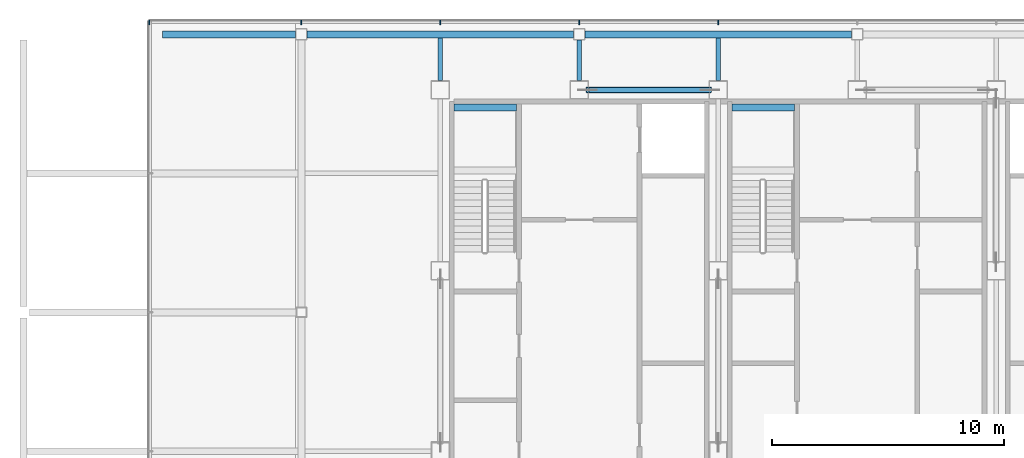
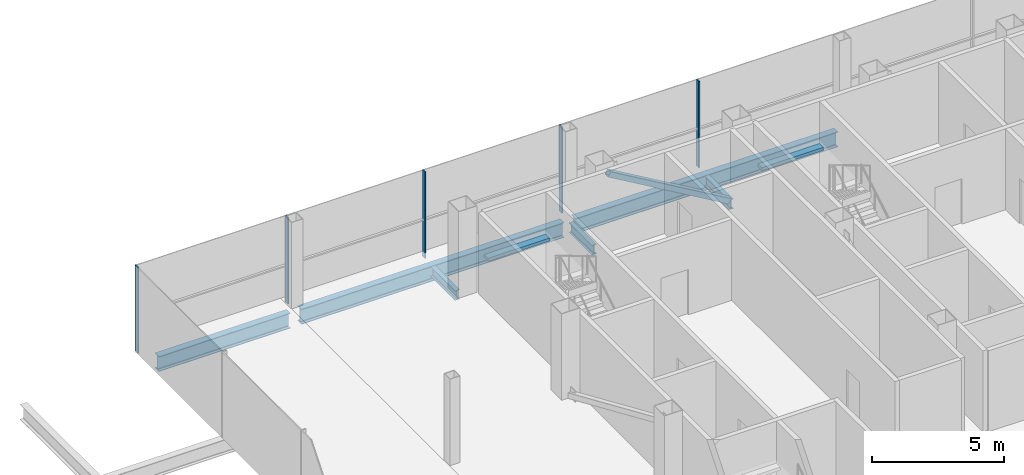
# One storey, part 9 of 17: 8 beams, 6 members, 1 element without a shape of its own.
"""IFC4 building model written with IfcOpenShell, lengths in metres."""

from ifc_helpers import new_model, si_unit, direction, frame, origin, origin_2d, place, context, subcontext, project, spatial, rectangle, hollow_rectangle, i_section, extrude, material, material_profile, profile_set, type_object, element, aggregate, save


model = new_model("IFC4")

# Units and contexts
model_context = context("Model", 3, precision=1e-05, world=origin(), true_north=direction((0.0, 1.0)))
body_context = subcontext(model_context, "Body", "Model", "MODEL_VIEW")
ifc_project = project(units=[si_unit("LENGTHUNIT", "METRE"), si_unit("AREAUNIT", "SQUARE_METRE"), si_unit("VOLUMEUNIT", "CUBIC_METRE"), si_unit("PLANEANGLEUNIT", "RADIAN"), si_unit("MASSUNIT", "GRAM", prefix="KILO")], contexts=[model_context])

# Site, building, storey
site_placement = place(None, origin())
site = spatial("IfcSite", under=ifc_project, at=site_placement, CompositionType="ELEMENT")
building_placement = place(site_placement, origin())
building = spatial("IfcBuilding", under=site, at=building_placement, Name="Sorahane Residences", CompositionType="ELEMENT")
storey_placement = place(building_placement, frame((0.0, 0.0, 341.800048828125)))
storey = spatial("IfcBuildingStorey", under=building, at=storey_placement, Name="L81", CompositionType="ELEMENT", Elevation=341.800048828125)

# Member
ifc_material_1 = material(Name="Steel Q355B", Category="steel")
ifc_material_profile_1 = material_profile(ifc_material_1, hollow_rectangle(XDim=0.25, YDim=0.25, WallThickness=0.011962890625, InnerFilletRadius=0.006103515625, OuterFilletRadius=0.01806640625, at=origin_2d()), Name="RHS 250x250x12")
ifc_profile_set_1 = profile_set([ifc_material_profile_1], Name="Steel Q355B")
member_type_1 = type_object("IfcMemberType", Name="Core brace RHS 250x250x12 Q355B", PredefinedType="BRACE", material=ifc_profile_set_1)
member_1_placement = place(storey_placement, frame((17.637939453125, 45.60009765625, 0.102783203125), z_axis=(-0.862574842184, 0.0, 0.505929482864), x_axis=(0.0, -1.0, 0.0)))
element("IfcMember", 1, at=member_1_placement, inside=storey, type_object=member_type_1, Name="Core brace L81 y45.6-2", PredefinedType="BRACE", context=body_context, shape_type="SweptSolid", body=[
    extrude(hollow_rectangle(XDim=0.25, YDim=0.25, WallThickness=0.011962890625, InnerFilletRadius=0.006103515625, OuterFilletRadius=0.01806640625, at=origin_2d()), origin(), (0.0, 0.0, 1.0), 6.116455078125),
])

# Curtain wall, members
ifc_material_2 = material(Name="Dark low-e glass and black anodised aluminium", Category="aluminium")
curtain_wall_type = type_object("IfcCurtainWallType", Name="Curtain wall CW-6 Crown unitised wall", PredefinedType="NOTDEFINED", material=ifc_material_2)
curtain_wall_placement = place(storey_placement, origin())
curtain_wall = element("IfcCurtainWall", 2, at=curtain_wall_placement, inside=storey, type_object=curtain_wall_type, Name="CW-6 curtain wall L81 N1", PredefinedType="NOTDEFINED")
ifc_material_3 = material(Name="Black anodised aluminium", Category="aluminium")
ifc_material_profile_2 = material_profile(ifc_material_3, rectangle(XDim=0.199951171875, YDim=0.050048828125, at=origin_2d()), Name="Curtain wall mullion CW-6 black anodised aluminium 50x200")
ifc_profile_set_2 = profile_set([ifc_material_profile_2], Name="Black anodised aluminium")
member_type_2 = type_object("IfcMemberType", Name="Curtain wall mullion CW-6 black anodised aluminium 50x200", PredefinedType="MULLION", material=ifc_profile_set_2)
member_2_placement = place(storey_placement, frame((18.0, 48.52001953125, -0.25), z_axis=(0.0, 0.0, 1.0), x_axis=(0.0, 1.0, 0.0)))
member_2 = element("IfcMember", 3, at=member_2_placement, type_object=member_type_2, Name="CW-6 mullion L81 N1.5", PredefinedType="MULLION", context=body_context, shape_type="SweptSolid", body=[
    extrude(rectangle(XDim=0.199951171875, YDim=0.050048828125, at=origin_2d()), origin(), (0.0, 0.0, 1.0), 4.0),
])
member_3_placement = place(storey_placement, frame((12.0, 48.52001953125, -0.25), z_axis=(0.0, 0.0, 1.0), x_axis=(0.0, 1.0, 0.0)))
member_3 = element("IfcMember", 4, at=member_3_placement, type_object=member_type_2, Name="CW-6 mullion L81 N1.6", PredefinedType="MULLION", context=body_context, shape_type="SweptSolid", body=[
    extrude(rectangle(XDim=0.199951171875, YDim=0.050048828125, at=origin_2d()), origin(), (0.0, 0.0, 1.0), 4.0),
])
member_4_placement = place(storey_placement, frame((6.0, 48.52001953125, -0.25), z_axis=(0.0, 0.0, 1.0), x_axis=(0.0, 1.0, 0.0)))
member_4 = element("IfcMember", 5, at=member_4_placement, type_object=member_type_2, Name="CW-6 mullion L81 N1.7", PredefinedType="MULLION", context=body_context, shape_type="SweptSolid", body=[
    extrude(rectangle(XDim=0.199951171875, YDim=0.050048828125, at=origin_2d()), origin(), (0.0, 0.0, 1.0), 4.0),
])
member_5_placement = place(storey_placement, frame((0.0, 48.52001953125, -0.25), z_axis=(0.0, 0.0, 1.0), x_axis=(0.0, 1.0, 0.0)))
member_5 = element("IfcMember", 6, at=member_5_placement, type_object=member_type_2, Name="CW-6 mullion L81 N1.8", PredefinedType="MULLION", context=body_context, shape_type="SweptSolid", body=[
    extrude(rectangle(XDim=0.199951171875, YDim=0.050048828125, at=origin_2d()), origin(), (0.0, 0.0, 1.0), 4.0),
])
member_6_placement = place(storey_placement, frame((-6.574951171875, 48.52001953125, -0.25), z_axis=(0.0, 0.0, 1.0), x_axis=(0.0, 1.0, 0.0)))
member_6 = element("IfcMember", 7, at=member_6_placement, type_object=member_type_2, Name="CW-6 mullion L81 N1.9", PredefinedType="MULLION", context=body_context, shape_type="SweptSolid", body=[
    extrude(rectangle(XDim=0.199951171875, YDim=0.050048828125, at=origin_2d()), origin(), (0.0, 0.0, 1.0), 4.0),
])
aggregate(curtain_wall, [member_2, member_3, member_4, member_5, member_6])

# Beams
ifc_material_4 = material(Name="Concrete C40", Category="concrete")
ifc_material_profile_3 = material_profile(ifc_material_4, rectangle(XDim=0.300048828125, YDim=0.139892578125, at=origin_2d()), Name="300x140")
ifc_profile_set_3 = profile_set([ifc_material_profile_3], Name="Concrete C40")
beam_type_1 = type_object("IfcBeamType", Name="RC landing beam 300 x 140 Concrete C40", PredefinedType="BEAM", material=ifc_profile_set_3)
for number, where, z_axis, x_axis, name in (
    (8, (6.60009765625, 44.85009765625, 1.72998046875), (1.0, 0.0, 0.0), (0.0, 1.0, 0.0), "Landing beam"),
    (9, (18.60009765625, 44.85009765625, 1.72998046875), (1.0, 0.0, 0.0), (0.0, 1.0, 0.0), "Landing beam"),
):
    element("IfcBeam", number, at=place(storey_placement, frame(where, z_axis=z_axis, x_axis=x_axis)), inside=storey, type_object=beam_type_1, Name=name, PredefinedType="BEAM", context=body_context, shape_type="SweptSolid", body=[
        extrude(rectangle(XDim=0.300048828125, YDim=0.139892578125, at=origin_2d()), origin(), (0.0, 0.0, 1.0), 2.699951171875),
    ])
ifc_material_5 = material(Name="Steel Q355B", Category="steel")
ifc_material_profile_4 = material_profile(ifc_material_5, i_section(OverallWidth=0.199951171875, OverallDepth=0.449951171875, WebThickness=0.009033203125, FlangeThickness=0.013916015625, FilletRadius=0.02001953125, at=origin_2d()), Name="HN 450x200x9x14")
ifc_profile_set_4 = profile_set([ifc_material_profile_4], Name="Steel Q355B")
beam_type_2 = type_object("IfcBeamType", Name="Steel floor beam HN 450x200x9x14 Q355B", PredefinedType="BEAM", material=ifc_profile_set_4)
beam_1_placement = place(storey_placement, frame((6.0, 46.0, -0.47509765625), z_axis=(0.0, 1.0, 0.0), x_axis=(-1.0, 0.0, 0.0)))
element("IfcBeam", 10, at=beam_1_placement, inside=storey, type_object=beam_type_2, Name="Beam L81 020", PredefinedType="BEAM", context=body_context, shape_type="SweptSolid", body=[
    extrude(i_section(OverallWidth=0.199951171875, OverallDepth=0.449951171875, WebThickness=0.009033203125, FlangeThickness=0.013916015625, FilletRadius=0.02001953125, at=origin_2d()), origin(), (0.0, 0.0, 1.0), 1.85009765625),
])
beam_2_placement = place(storey_placement, frame((12.0, 46.0, -0.47509765625), z_axis=(0.0, 1.0, 0.0), x_axis=(-1.0, 0.0, 0.0)))
element("IfcBeam", 11, at=beam_2_placement, inside=storey, type_object=beam_type_2, Name="Beam L81 021", PredefinedType="BEAM", context=body_context, shape_type="SweptSolid", body=[
    extrude(i_section(OverallWidth=0.199951171875, OverallDepth=0.449951171875, WebThickness=0.009033203125, FlangeThickness=0.013916015625, FilletRadius=0.02001953125, at=origin_2d()), origin(), (0.0, 0.0, 1.0), 1.75),
])
beam_3_placement = place(storey_placement, frame((18.0, 46.0, -0.47509765625), z_axis=(0.0, 1.0, 0.0), x_axis=(-1.0, 0.0, 0.0)))
element("IfcBeam", 12, at=beam_3_placement, inside=storey, type_object=beam_type_2, Name="Beam L81 026", PredefinedType="BEAM", context=body_context, shape_type="SweptSolid", body=[
    extrude(i_section(OverallWidth=0.199951171875, OverallDepth=0.449951171875, WebThickness=0.009033203125, FlangeThickness=0.013916015625, FilletRadius=0.02001953125, at=origin_2d()), origin(), (0.0, 0.0, 1.0), 1.85009765625),
])
ifc_material_6 = material(Name="Steel Q355B", Category="steel")
ifc_material_profile_5 = material_profile(ifc_material_6, i_section(OverallWidth=0.300048828125, OverallDepth=0.699951171875, WebThickness=0.012939453125, FlangeThickness=0.02392578125, FilletRadius=0.028076171875, at=origin_2d()), Name="HN 700x300x13x24")
ifc_profile_set_5 = profile_set([ifc_material_profile_5], Name="Steel Q355B")
beam_type_3 = type_object("IfcBeamType", Name="Steel floor beam HN 700x300x13x24 Q355B", PredefinedType="BEAM", material=ifc_profile_set_5)
for number, where, z_axis, x_axis, name in (
    (13, (0.25, 48.0, -0.60009765625), (1.0, 0.0, 0.0), (0.0, 1.0, 0.0), "Beam L81 005"),
    (14, (12.25, 48.0, -0.60009765625), (1.0, 0.0, 0.0), (0.0, 1.0, 0.0), "Beam L81 006"),
):
    element("IfcBeam", number, at=place(storey_placement, frame(where, z_axis=z_axis, x_axis=x_axis)), inside=storey, type_object=beam_type_3, Name=name, PredefinedType="BEAM", context=body_context, shape_type="SweptSolid", body=[
        extrude(i_section(OverallWidth=0.300048828125, OverallDepth=0.699951171875, WebThickness=0.012939453125, FlangeThickness=0.02392578125, FilletRadius=0.028076171875, at=origin_2d()), origin(), (0.0, 0.0, 1.0), 11.5),
    ])
beam_4_placement = place(storey_placement, frame((-6.0, 48.0, -0.60009765625), z_axis=(1.0, 0.0, 0.0), x_axis=(0.0, 1.0, 0.0)))
element("IfcBeam", 15, at=beam_4_placement, inside=storey, type_object=beam_type_3, Name="Beam L81 008", PredefinedType="BEAM", context=body_context, shape_type="SweptSolid", body=[
    extrude(i_section(OverallWidth=0.300048828125, OverallDepth=0.699951171875, WebThickness=0.012939453125, FlangeThickness=0.02392578125, FilletRadius=0.028076171875, at=origin_2d()), origin(), (0.0, 0.0, 1.0), 5.75),
])

save(model, "model.ifc")
